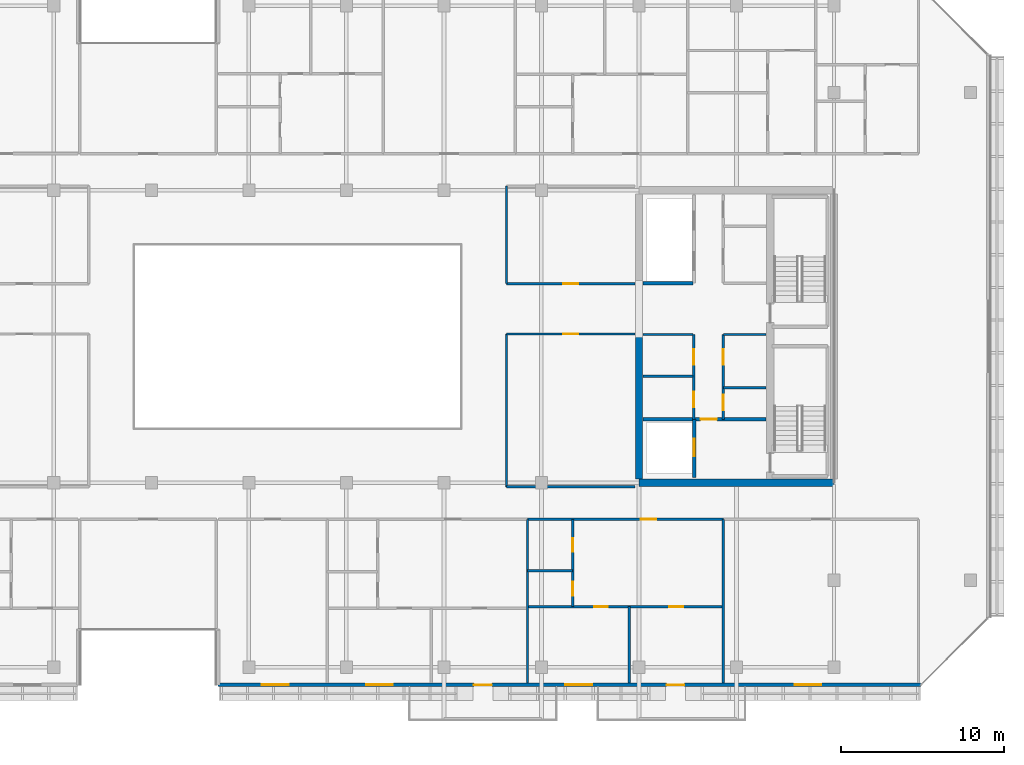
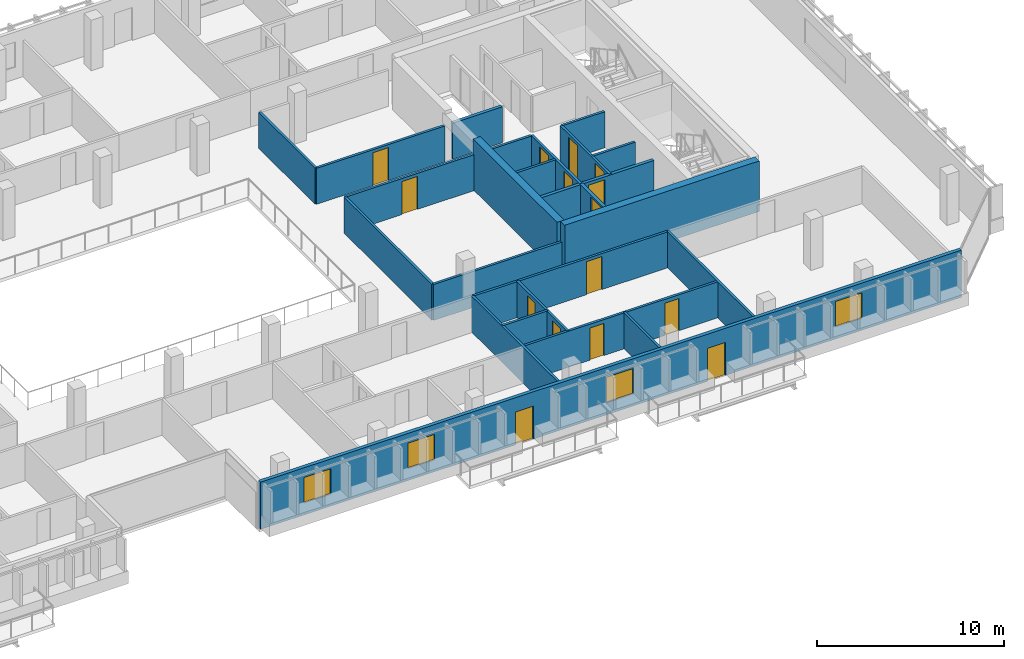
# One storey, part 16 of 25: 24 walls, 15 doors, 4 windows, 19 openings.
"""IFC4 building model written with IfcOpenShell, lengths in metres."""

from ifc_helpers import new_model, si_unit, direction, frame, frame_2d, origin, place, context, subcontext, project, spatial, rectangle, extrude, material, layer, layer_set, type_object, element, fill, save


model = new_model("IFC4")

# Units and contexts
model_context = context("Model", 3, precision=1e-05, world=origin(), true_north=direction((0.0, 1.0)))
body_context = subcontext(model_context, "Body", "Model", "MODEL_VIEW")
ifc_project = project(units=[si_unit("LENGTHUNIT", "METRE"), si_unit("AREAUNIT", "SQUARE_METRE"), si_unit("VOLUMEUNIT", "CUBIC_METRE"), si_unit("PLANEANGLEUNIT", "RADIAN"), si_unit("MASSUNIT", "GRAM", prefix="KILO")], contexts=[model_context])

# Site, building, storey
site_placement = place(None, origin())
site = spatial("IfcSite", under=ifc_project, at=site_placement, CompositionType="ELEMENT")
building_placement = place(site_placement, origin())
building = spatial("IfcBuilding", under=site, at=building_placement, Name="Tanjung Sevakor Pilgrim Tower", CompositionType="ELEMENT")
storey_placement = place(building_placement, frame((0.0, 0.0, 204.929931640625)))
storey = spatial("IfcBuildingStorey", under=building, at=storey_placement, Name="L57", CompositionType="ELEMENT", Elevation=204.929931640625)

# Walls
ifc_material_1 = material(Name="Concrete C60/75", Category="concrete")
ifc_layer_1 = layer(ifc_material_1, 0.449951171875)
ifc_layer_set_1 = layer_set([ifc_layer_1], Name="WALL-CW-450")
wall_type_1 = type_object("IfcWallType", Name="WALL-CW-450", PredefinedType="SHEAR", material=ifc_layer_set_1)
wall_1_placement = place(storey_placement, frame((78.0, 24.60009765625, 0.0), z_axis=(0.0, 0.0, 1.0), x_axis=(1.0, 0.0, 0.0)))
element("IfcWall", 1, at=wall_1_placement, inside=storey, type_object=wall_type_1, Name="L57 E Core South Shear Wall", PredefinedType="SHEAR", context=body_context, shape_type="SweptSolid", body=[
    extrude(rectangle(XDim=12.0, YDim=0.449951171875, at=frame_2d((6.0, 0.0))), origin(), (0.0, 0.0, 1.0), 3.300048828125),
])
wall_2_placement = place(storey_placement, frame((78.0, 24.824951171875, 0.0), z_axis=(0.0, 0.0, 1.0), x_axis=(0.0, 1.0, 0.0)))
element("IfcWall", 2, at=wall_2_placement, inside=storey, type_object=wall_type_1, Name="L57 E Core Inner Shear Wall South", PredefinedType="SHEAR", context=body_context, shape_type="SweptSolid", body=[
    extrude(rectangle(XDim=8.97509765625, YDim=0.449951171875, at=frame_2d((4.487548828125, 0.0))), origin(), (0.0, 0.0, 1.0), 3.300048828125),
])
ifc_material_2 = material(Name="Concrete C40/50", Category="concrete")
ifc_layer_2 = layer(ifc_material_2, 0.14990234375)
ifc_layer_set_2 = layer_set([ifc_layer_2], Name="WT-COMP-150")
wall_type_2 = type_object("IfcWallType", Name="WT-COMP-150", PredefinedType="SOLIDWALL", material=ifc_layer_set_2)
for number, where, z_axis, x_axis, name in (
    (3, (83.199951171875, 30.449951171875, 0.0), (0.0, 0.0, 1.0), (1.0, 0.0, 0.0), "L57 Partition IW-L57-016"),
    (4, (83.199951171875, 33.719970703125, 0.0), (0.0, 0.0, 1.0), (1.0, 0.0, 0.0), "L57 Partition IW-L57-017"),
):
    element("IfcWall", number, at=place(storey_placement, frame(where, z_axis=z_axis, x_axis=x_axis)), inside=storey, type_object=wall_type_2, Name=name, PredefinedType="SOLIDWALL", context=body_context, shape_type="SweptSolid", body=[
        extrude(rectangle(XDim=2.630126953125, YDim=0.14990234375, at=frame_2d((1.31494140625, 0.0))), origin(), (0.0, 0.0, 1.0), 2.35009765625),
    ])

# Wall, openings, doors
wall_3_placement = place(storey_placement, frame((83.179931640625, 28.5, 0.0), z_axis=(0.0, 0.0, 1.0), x_axis=(0.0, 1.0, 0.0)))
wall_3 = element("IfcWall", 5, at=wall_3_placement, inside=storey, type_object=wall_type_2, Name="L57 Partition IW-L57-018", PredefinedType="SOLIDWALL", context=body_context, shape_type="SweptSolid", body=[
    extrude(rectangle(XDim=5.219970703125, YDim=0.14990234375, at=frame_2d((2.60986328125, 0.0))), origin(), (0.0, 0.0, 1.0), 2.35009765625),
])
opening_1_placement = place(wall_3_placement, frame((0.550048828125, 0.0, 0.0)))
opening_1 = element("IfcOpeningElement", 6, at=opening_1_placement, cuts=wall_3, Name="Opening ID-FD2", PredefinedType="OPENING", context=body_context, shape_type="SweptSolid", body=[
    extrude(rectangle(XDim=0.949951171875, YDim=2.14990234375, at=frame_2d((0.47509765625, 1.074951171875))), frame((0.0, 0.0849609375, 0.0), z_axis=(0.0, -1.0, 0.0), x_axis=(1.0, 0.0, 0.0)), (0.0, 0.0, 1.0), 0.169921875),
])
opening_2_placement = place(wall_3_placement, frame((3.35009765625, 0.0, 0.0)))
opening_2 = element("IfcOpeningElement", 7, at=opening_2_placement, cuts=wall_3, Name="Opening ID-FD2", PredefinedType="OPENING", context=body_context, shape_type="SweptSolid", body=[
    extrude(rectangle(XDim=0.949951171875, YDim=2.14990234375, at=frame_2d((0.47509765625, 1.074951171875))), frame((0.0, 0.0849609375, 0.0), z_axis=(0.0, -1.0, 0.0), x_axis=(1.0, 0.0, 0.0)), (0.0, 0.0, 1.0), 0.169921875),
])
ifc_material_3 = material(Name="Fire-Rated Timber", Category="wood")
door_type_1 = type_object("IfcDoorType", Name="DT-FIRE-950", OperationType="NOTDEFINED", PredefinedType="DOOR", material=ifc_material_3)
door_1_placement = place(opening_1_placement, origin())
door_1 = element("IfcDoor", 8, at=door_1_placement, inside=storey, type_object=door_type_1, Name="L57 Cleaner Store Door", OperationType="SINGLE_SWING_RIGHT", OverallHeight=2.14990234375, OverallWidth=0.949951171875, PredefinedType="DOOR", context=body_context, shape_type="SweptSolid", body=[
    extrude(rectangle(XDim=0.949951171875, YDim=2.14990234375, at=frame_2d((0.47509765625, 1.074951171875))), frame((0.0, 0.02490234375, 0.0), z_axis=(0.0, -1.0, 0.0), x_axis=(1.0, 0.0, 0.0)), (0.0, 0.0, 1.0), 0.050048828125),
])
fill(opening_1, door_1)
door_2_placement = place(opening_2_placement, origin())
door_2 = element("IfcDoor", 9, at=door_2_placement, inside=storey, type_object=door_type_1, Name="L57 Housekeeping Pantry Door", OperationType="SINGLE_SWING_LEFT", OverallHeight=2.14990234375, OverallWidth=0.949951171875, PredefinedType="DOOR", context=body_context, shape_type="SweptSolid", body=[
    extrude(rectangle(XDim=0.949951171875, YDim=2.14990234375, at=frame_2d((0.47509765625, 1.074951171875))), frame((0.0, 0.02490234375, 0.0), z_axis=(0.0, -1.0, 0.0), x_axis=(1.0, 0.0, 0.0)), (0.0, 0.0, 1.0), 0.050048828125),
])
fill(opening_2, door_2)

# Walls
for number, where, z_axis, x_axis, name in (
    (10, (78.2451171875, 31.14990234375, 0.0), (0.0, 0.0, 1.0), (1.0, 0.0, 0.0), "L57 Partition IW-L57-019"),
    (11, (78.2451171875, 33.719970703125, 0.0), (0.0, 0.0, 1.0), (1.0, 0.0, 0.0), "L57 Partition IW-L57-020"),
):
    element("IfcWall", number, at=place(storey_placement, frame(where, z_axis=z_axis, x_axis=x_axis)), inside=storey, type_object=wall_type_2, Name=name, PredefinedType="SOLIDWALL", context=body_context, shape_type="SweptSolid", body=[
        extrude(rectangle(XDim=3.074951171875, YDim=0.14990234375, at=frame_2d((1.53759765625, 0.0))), origin(), (0.0, 0.0, 1.0), 2.35009765625),
    ])

# Wall, openings, doors
wall_4_placement = place(storey_placement, frame((81.3798828125, 28.5, 0.0), z_axis=(0.0, 0.0, 1.0), x_axis=(0.0, 1.0, 0.0)))
wall_4 = element("IfcWall", 12, at=wall_4_placement, inside=storey, type_object=wall_type_2, Name="L57 Partition IW-L57-021", PredefinedType="SOLIDWALL", context=body_context, shape_type="SweptSolid", body=[
    extrude(rectangle(XDim=5.219970703125, YDim=0.14990234375, at=frame_2d((2.60986328125, 0.0))), origin(), (0.0, 0.0, 1.0), 2.35009765625),
])
opening_3_placement = place(wall_4_placement, frame((0.75, 0.0, 0.0)))
opening_3 = element("IfcOpeningElement", 13, at=opening_3_placement, cuts=wall_4, Name="Opening ID-FD2", PredefinedType="OPENING", context=body_context, shape_type="SweptSolid", body=[
    extrude(rectangle(XDim=0.949951171875, YDim=2.14990234375, at=frame_2d((0.47509765625, 1.074951171875))), frame((0.0, 0.0849609375, 0.0), z_axis=(0.0, -1.0, 0.0), x_axis=(1.0, 0.0, 0.0)), (0.0, 0.0, 1.0), 0.169921875),
])
opening_4_placement = place(wall_4_placement, frame((3.35009765625, 0.0, 0.0)))
opening_4 = element("IfcOpeningElement", 14, at=opening_4_placement, cuts=wall_4, Name="Opening ID-FD2", PredefinedType="OPENING", context=body_context, shape_type="SweptSolid", body=[
    extrude(rectangle(XDim=0.949951171875, YDim=2.14990234375, at=frame_2d((0.47509765625, 1.074951171875))), frame((0.0, 0.0849609375, 0.0), z_axis=(0.0, -1.0, 0.0), x_axis=(1.0, 0.0, 0.0)), (0.0, 0.0, 1.0), 0.169921875),
])
door_3_placement = place(opening_3_placement, origin())
door_3 = element("IfcDoor", 15, at=door_3_placement, inside=storey, type_object=door_type_1, Name="L57 Accessible WC Door", OperationType="SINGLE_SWING_RIGHT", OverallHeight=2.14990234375, OverallWidth=0.949951171875, PredefinedType="DOOR", context=body_context, shape_type="SweptSolid", body=[
    extrude(rectangle(XDim=0.949951171875, YDim=2.14990234375, at=frame_2d((0.47509765625, 1.074951171875))), frame((0.0, 0.02490234375, 0.0), z_axis=(0.0, -1.0, 0.0), x_axis=(1.0, 0.0, 0.0)), (0.0, 0.0, 1.0), 0.050048828125),
])
fill(opening_3, door_3)
door_4_placement = place(opening_4_placement, origin())
door_4 = element("IfcDoor", 16, at=door_4_placement, inside=storey, type_object=door_type_1, Name="L57 Core Service Door", OperationType="SINGLE_SWING_LEFT", OverallHeight=2.14990234375, OverallWidth=0.949951171875, PredefinedType="DOOR", context=body_context, shape_type="SweptSolid", body=[
    extrude(rectangle(XDim=0.949951171875, YDim=2.14990234375, at=frame_2d((0.47509765625, 1.074951171875))), frame((0.0, 0.02490234375, 0.0), z_axis=(0.0, -1.0, 0.0), x_axis=(1.0, 0.0, 0.0)), (0.0, 0.0, 1.0), 0.050048828125),
])
fill(opening_4, door_4)

# Wall
wall_5_placement = place(storey_placement, frame((69.85009765625, 24.35009765625, 0.0), z_axis=(0.0, 0.0, 1.0), x_axis=(1.0, 0.0, 0.0)))
element("IfcWall", 17, at=wall_5_placement, inside=storey, type_object=wall_type_2, Name="L57 Partition IW-L57-033", PredefinedType="SOLIDWALL", context=body_context, shape_type="SweptSolid", body=[
    extrude(rectangle(XDim=7.90478515625, YDim=0.14990234375, at=frame_2d((3.952392578125, 0.0))), origin(), (0.0, 0.0, 1.0), 2.35009765625),
])

# Wall, opening, door
wall_6_placement = place(storey_placement, frame((69.85009765625, 33.75, 0.0), z_axis=(0.0, 0.0, 1.0), x_axis=(1.0, 0.0, 0.0)))
wall_6 = element("IfcWall", 18, at=wall_6_placement, inside=storey, type_object=wall_type_2, Name="L57 Partition IW-L57-034", PredefinedType="SOLIDWALL", context=body_context, shape_type="SweptSolid", body=[
    extrude(rectangle(XDim=7.90478515625, YDim=0.14990234375, at=frame_2d((3.952392578125, 0.0))), origin(), (0.0, 0.0, 1.0), 2.35009765625),
])
opening_5_placement = place(wall_6_placement, frame((3.4775390625, 0.0, 0.0)))
opening_5 = element("IfcOpeningElement", 19, at=opening_5_placement, cuts=wall_6, Name="Opening ID-RM1", PredefinedType="OPENING", context=body_context, shape_type="SweptSolid", body=[
    extrude(rectangle(XDim=0.949951171875, YDim=2.14990234375, at=frame_2d((0.47509765625, 1.074951171875))), frame((0.0, 0.0849609375, 0.0), z_axis=(0.0, -1.0, 0.0), x_axis=(1.0, 0.0, 0.0)), (0.0, 0.0, 1.0), 0.169921875),
])
ifc_material_4 = material(Name="Hardwood Timber", Category="wood")
door_type_2 = type_object("IfcDoorType", Name="DT-INT-950", OperationType="NOTDEFINED", PredefinedType="DOOR", material=ifc_material_4)
door_5_placement = place(opening_5_placement, origin())
door_5 = element("IfcDoor", 20, at=door_5_placement, inside=storey, type_object=door_type_2, Name="L57 East Inboard South Door", OperationType="SINGLE_SWING_RIGHT", OverallHeight=2.14990234375, OverallWidth=0.949951171875, PredefinedType="DOOR", context=body_context, shape_type="SweptSolid", body=[
    extrude(rectangle(XDim=0.949951171875, YDim=2.14990234375, at=frame_2d((0.47509765625, 1.074951171875))), frame((0.0, 0.02490234375, 0.0), z_axis=(0.0, -1.0, 0.0), x_axis=(1.0, 0.0, 0.0)), (0.0, 0.0, 1.0), 0.050048828125),
])
fill(opening_5, door_5)

# Wall
wall_7_placement = place(storey_placement, frame((69.85009765625, 24.35009765625, 0.0), z_axis=(0.0, 0.0, 1.0), x_axis=(0.0, 1.0, 0.0)))
element("IfcWall", 21, at=wall_7_placement, inside=storey, type_object=wall_type_2, Name="L57 Partition IW-L57-035", PredefinedType="SOLIDWALL", context=body_context, shape_type="SweptSolid", body=[
    extrude(rectangle(XDim=9.39990234375, YDim=0.14990234375, at=frame_2d((4.699951171875, 0.0))), origin(), (0.0, 0.0, 1.0), 2.35009765625),
])

# Wall, opening, door
wall_8_placement = place(storey_placement, frame((69.85009765625, 36.85009765625, 0.0), z_axis=(0.0, 0.0, 1.0), x_axis=(1.0, 0.0, 0.0)))
wall_8 = element("IfcWall", 22, at=wall_8_placement, inside=storey, type_object=wall_type_2, Name="L57 Partition IW-L57-036", PredefinedType="SOLIDWALL", context=body_context, shape_type="SweptSolid", body=[
    extrude(rectangle(XDim=7.90478515625, YDim=0.14990234375, at=frame_2d((3.952392578125, 0.0))), origin(), (0.0, 0.0, 1.0), 2.35009765625),
])
opening_6_placement = place(wall_8_placement, frame((3.4775390625, 0.0, 0.0)))
opening_6 = element("IfcOpeningElement", 23, at=opening_6_placement, cuts=wall_8, Name="Opening ID-RM1", PredefinedType="OPENING", context=body_context, shape_type="SweptSolid", body=[
    extrude(rectangle(XDim=0.949951171875, YDim=2.14990234375, at=frame_2d((0.47509765625, 1.074951171875))), frame((0.0, 0.0849609375, 0.0), z_axis=(0.0, -1.0, 0.0), x_axis=(1.0, 0.0, 0.0)), (0.0, 0.0, 1.0), 0.169921875),
])
door_6_placement = place(opening_6_placement, origin())
door_6 = element("IfcDoor", 24, at=door_6_placement, inside=storey, type_object=door_type_2, Name="L57 East Inboard North Door", OperationType="SINGLE_SWING_LEFT", OverallHeight=2.14990234375, OverallWidth=0.949951171875, PredefinedType="DOOR", context=body_context, shape_type="SweptSolid", body=[
    extrude(rectangle(XDim=0.949951171875, YDim=2.14990234375, at=frame_2d((0.47509765625, 1.074951171875))), frame((0.0, 0.02490234375, 0.0), z_axis=(0.0, -1.0, 0.0), x_axis=(1.0, 0.0, 0.0)), (0.0, 0.0, 1.0), 0.050048828125),
])
fill(opening_6, door_6)

# Walls
wall_9_placement = place(storey_placement, frame((69.85009765625, 36.85009765625, 0.0), z_axis=(0.0, 0.0, 1.0), x_axis=(0.0, 1.0, 0.0)))
element("IfcWall", 25, at=wall_9_placement, inside=storey, type_object=wall_type_2, Name="L57 Partition IW-L57-038", PredefinedType="SOLIDWALL", context=body_context, shape_type="SweptSolid", body=[
    extrude(rectangle(XDim=6.0, YDim=0.14990234375, at=frame_2d((3.0, 0.0))), origin(), (0.0, 0.0, 1.0), 2.35009765625),
])
for number, where, z_axis, x_axis, name in (
    (26, (71.1416015625, 12.27001953125, 0.0), (0.0, 0.0, 1.0), (0.0, 1.0, 0.0), "L57 Partition IW-L57-060"),
    (27, (83.19775390625, 12.27001953125, 0.0), (0.0, 0.0, 1.0), (0.0, 1.0, 0.0), "L57 Partition IW-L57-066"),
):
    element("IfcWall", number, at=place(storey_placement, frame(where, z_axis=z_axis, x_axis=x_axis)), inside=storey, type_object=wall_type_2, Name=name, PredefinedType="SOLIDWALL", context=body_context, shape_type="SweptSolid", body=[
        extrude(rectangle(XDim=10.080078125, YDim=0.14990234375, at=frame_2d((5.0400390625, 0.0))), origin(), (0.0, 0.0, 1.0), 2.35009765625),
    ])

# Wall, opening, door
wall_10_placement = place(storey_placement, frame((71.1416015625, 22.35009765625, 0.0), z_axis=(0.0, 0.0, 1.0), x_axis=(1.0, 0.0, 0.0)))
wall_10 = element("IfcWall", 28, at=wall_10_placement, inside=storey, type_object=wall_type_2, Name="L57 Partition IW-L57-071", PredefinedType="SOLIDWALL", context=body_context, shape_type="SweptSolid", body=[
    extrude(rectangle(XDim=12.05615234375, YDim=0.14990234375, at=frame_2d((6.028076171875, 0.0))), origin(), (0.0, 0.0, 1.0), 2.35009765625),
])
opening_7_placement = place(wall_10_placement, frame((6.982177734375, 0.0, 0.0)))
opening_7 = element("IfcOpeningElement", 29, at=opening_7_placement, cuts=wall_10, Name="Opening ID-FD2", PredefinedType="OPENING", context=body_context, shape_type="SweptSolid", body=[
    extrude(rectangle(XDim=0.949951171875, YDim=2.14990234375, at=frame_2d((0.47509765625, 1.074951171875))), frame((0.0, 0.0849609375, 0.0), z_axis=(0.0, -1.0, 0.0), x_axis=(1.0, 0.0, 0.0)), (0.0, 0.0, 1.0), 0.169921875),
])
door_7_placement = place(opening_7_placement, origin())
door_7 = element("IfcDoor", 30, at=door_7_placement, inside=storey, type_object=door_type_1, Name="Suite Entrance", OperationType="SINGLE_SWING_LEFT", OverallHeight=2.14990234375, OverallWidth=0.949951171875, PredefinedType="DOOR", context=body_context, shape_type="SweptSolid", body=[
    extrude(rectangle(XDim=0.949951171875, YDim=2.14990234375, at=frame_2d((0.47509765625, 1.074951171875))), frame((0.0, 0.02490234375, 0.0), z_axis=(0.0, -1.0, 0.0), x_axis=(1.0, 0.0, 0.0)), (0.0, 0.0, 1.0), 0.050048828125),
])
fill(opening_7, door_7)

# Wall, openings, doors, windows
ifc_material_5 = material(Name="Precast concrete C45/55", Category="concrete")
ifc_layer_3 = layer(ifc_material_5, 0.219970703125)
ifc_layer_set_3 = layer_set([ifc_layer_3], Name="WT-EW-STN4")
wall_type_3 = type_object("IfcWallType", Name="WT-EW-STN4", PredefinedType="SOLIDWALL", material=ifc_layer_set_3)
wall_11_placement = place(storey_placement, frame((52.110107421875, 12.159912109375, 0.0), z_axis=(0.0, 0.0, 1.0), x_axis=(1.0, 0.0, 0.0)))
wall_11 = element("IfcWall", 31, at=wall_11_placement, inside=storey, type_object=wall_type_3, Name="L57 MAIN Exterior Wall 5", PredefinedType="SOLIDWALL", context=body_context, shape_type="SweptSolid", body=[
    extrude(rectangle(XDim=43.244384765625, YDim=0.219970703125, at=frame_2d((21.6220703125, 0.0))), origin(), (0.0, 0.0, 1.0), 3.080078125),
])
opening_8_placement = place(wall_11_placement, frame((15.739990234375, 0.0, 0.0)))
opening_8 = element("IfcOpeningElement", 32, at=opening_8_placement, cuts=wall_11, Name="Opening ED-BAL-1100", PredefinedType="OPENING", context=body_context, shape_type="SweptSolid", body=[
    extrude(rectangle(XDim=1.10009765625, YDim=2.14990234375, at=frame_2d((0.550048828125, 1.074951171875))), frame((0.0, 0.119873046875, 0.0), z_axis=(0.0, -1.0, 0.0), x_axis=(1.0, 0.0, 0.0)), (0.0, 0.0, 1.0), 0.239990234375),
])
opening_9_placement = place(wall_11_placement, frame((27.590087890625, 0.0, 0.0)))
opening_9 = element("IfcOpeningElement", 33, at=opening_9_placement, cuts=wall_11, Name="Opening ED-BAL-1100", PredefinedType="OPENING", context=body_context, shape_type="SweptSolid", body=[
    extrude(rectangle(XDim=1.10009765625, YDim=2.14990234375, at=frame_2d((0.550048828125, 1.074951171875))), frame((0.0, 0.119873046875, 0.0), z_axis=(0.0, -1.0, 0.0), x_axis=(1.0, 0.0, 0.0)), (0.0, 0.0, 1.0), 0.239990234375),
])
opening_10_placement = place(wall_11_placement, frame((2.69384765625, 0.0, 0.780029296875)))
opening_10 = element("IfcOpeningElement", 34, at=opening_10_placement, cuts=wall_11, Name="Opening WN-Z4-1660", PredefinedType="OPENING", context=body_context, shape_type="SweptSolid", body=[
    extrude(rectangle(XDim=1.64990234375, YDim=1.659912109375, at=frame_2d((0.824951171875, 0.830078125))), frame((0.0, 0.119873046875, 0.0), z_axis=(0.0, -1.0, 0.0), x_axis=(1.0, 0.0, 0.0)), (0.0, 0.0, 1.0), 0.239990234375),
])
opening_11_placement = place(wall_11_placement, frame((9.096923828125, 0.0, 0.780029296875)))
opening_11 = element("IfcOpeningElement", 35, at=opening_11_placement, cuts=wall_11, Name="Opening WN-Z4-1660", PredefinedType="OPENING", context=body_context, shape_type="SweptSolid", body=[
    extrude(rectangle(XDim=1.64990234375, YDim=1.659912109375, at=frame_2d((0.824951171875, 0.830078125))), frame((0.0, 0.119873046875, 0.0), z_axis=(0.0, -1.0, 0.0), x_axis=(1.0, 0.0, 0.0)), (0.0, 0.0, 1.0), 0.239990234375),
])
opening_12_placement = place(wall_11_placement, frame((21.351318359375, 0.0, 0.780029296875)))
opening_12 = element("IfcOpeningElement", 36, at=opening_12_placement, cuts=wall_11, Name="Opening WN-Z4-1660", PredefinedType="OPENING", context=body_context, shape_type="SweptSolid", body=[
    extrude(rectangle(XDim=1.64990234375, YDim=1.659912109375, at=frame_2d((0.824951171875, 0.830078125))), frame((0.0, 0.119873046875, 0.0), z_axis=(0.0, -1.0, 0.0), x_axis=(1.0, 0.0, 0.0)), (0.0, 0.0, 1.0), 0.239990234375),
])
opening_13_placement = place(wall_11_placement, frame((35.4638671875, 0.0, 0.780029296875)))
opening_13 = element("IfcOpeningElement", 37, at=opening_13_placement, cuts=wall_11, Name="Opening WN-Z4-1660", PredefinedType="OPENING", context=body_context, shape_type="SweptSolid", body=[
    extrude(rectangle(XDim=1.64990234375, YDim=1.659912109375, at=frame_2d((0.824951171875, 0.830078125))), frame((0.0, 0.119873046875, 0.0), z_axis=(0.0, -1.0, 0.0), x_axis=(1.0, 0.0, 0.0)), (0.0, 0.0, 1.0), 0.239990234375),
])
ifc_material_6 = material(Name="Anodised Aluminium and Laminated Glass", Category="aluminium")
door_type_3 = type_object("IfcDoorType", Name="DTYP-ED-BAL-1100", OperationType="NOTDEFINED", PredefinedType="DOOR", material=ifc_material_6)
door_8_placement = place(opening_8_placement, frame((1.10009765625, 0.0, 0.0), z_axis=(0.0, 0.0, 1.0), x_axis=(-1.0, 0.0, 0.0)))
door_8 = element("IfcDoor", 38, at=door_8_placement, inside=storey, type_object=door_type_3, Name="L57 Balcony Door MAIN-S2", OperationType="SINGLE_SWING_RIGHT", OverallHeight=2.14990234375, OverallWidth=1.10009765625, PredefinedType="DOOR", context=body_context, shape_type="SweptSolid", body=[
    extrude(rectangle(XDim=1.10009765625, YDim=2.14990234375, at=frame_2d((0.550048828125, 1.074951171875))), frame((0.0, 0.02490234375, 0.0), z_axis=(0.0, -1.0, 0.0), x_axis=(1.0, 0.0, 0.0)), (0.0, 0.0, 1.0), 0.050048828125),
])
fill(opening_8, door_8)
door_9_placement = place(opening_9_placement, frame((1.10009765625, 0.0, 0.0), z_axis=(0.0, 0.0, 1.0), x_axis=(-1.0, 0.0, 0.0)))
door_9 = element("IfcDoor", 39, at=door_9_placement, inside=storey, type_object=door_type_3, Name="L57 Balcony Door MAIN-S3", OperationType="SINGLE_SWING_LEFT", OverallHeight=2.14990234375, OverallWidth=1.10009765625, PredefinedType="DOOR", context=body_context, shape_type="SweptSolid", body=[
    extrude(rectangle(XDim=1.10009765625, YDim=2.14990234375, at=frame_2d((0.550048828125, 1.074951171875))), frame((0.0, 0.02490234375, 0.0), z_axis=(0.0, -1.0, 0.0), x_axis=(1.0, 0.0, 0.0)), (0.0, 0.0, 1.0), 0.050048828125),
])
fill(opening_9, door_9)
ifc_material_7 = material(Name="Thermally Broken Aluminium and Low-E Glass", Category="aluminium")
window_type = type_object("IfcWindowType", Name="WTYP-WN-Z4-1660", PartitioningType="DOUBLE_PANEL_VERTICAL", PredefinedType="WINDOW", material=ifc_material_7)
window_1_placement = place(opening_10_placement, origin())
window_1 = element("IfcWindow", 40, at=window_1_placement, inside=storey, type_object=window_type, Name="L57 Facade Window 01", OverallHeight=1.659912109375, OverallWidth=1.64990234375, PartitioningType="SINGLE_PANEL", PredefinedType="WINDOW", context=body_context, shape_type="SweptSolid", body=[
    extrude(rectangle(XDim=1.64990234375, YDim=1.659912109375, at=frame_2d((0.824951171875, 0.830078125))), frame((0.0, 0.030029296875, 0.0), z_axis=(0.0, -1.0, 0.0), x_axis=(1.0, 0.0, 0.0)), (0.0, 0.0, 1.0), 0.06005859375),
])
fill(opening_10, window_1)
window_2_placement = place(opening_11_placement, origin())
window_2 = element("IfcWindow", 41, at=window_2_placement, inside=storey, type_object=window_type, Name="L57 Facade Window 02", OverallHeight=1.659912109375, OverallWidth=1.64990234375, PartitioningType="SINGLE_PANEL", PredefinedType="WINDOW", context=body_context, shape_type="SweptSolid", body=[
    extrude(rectangle(XDim=1.64990234375, YDim=1.659912109375, at=frame_2d((0.824951171875, 0.830078125))), frame((0.0, 0.030029296875, 0.0), z_axis=(0.0, -1.0, 0.0), x_axis=(1.0, 0.0, 0.0)), (0.0, 0.0, 1.0), 0.06005859375),
])
fill(opening_11, window_2)
window_3_placement = place(opening_12_placement, origin())
window_3 = element("IfcWindow", 42, at=window_3_placement, inside=storey, type_object=window_type, Name="L57 Facade Window 03", OverallHeight=1.659912109375, OverallWidth=1.64990234375, PartitioningType="SINGLE_PANEL", PredefinedType="WINDOW", context=body_context, shape_type="SweptSolid", body=[
    extrude(rectangle(XDim=1.64990234375, YDim=1.659912109375, at=frame_2d((0.824951171875, 0.830078125))), frame((0.0, 0.030029296875, 0.0), z_axis=(0.0, -1.0, 0.0), x_axis=(1.0, 0.0, 0.0)), (0.0, 0.0, 1.0), 0.06005859375),
])
fill(opening_12, window_3)
window_4_placement = place(opening_13_placement, origin())
window_4 = element("IfcWindow", 43, at=window_4_placement, inside=storey, type_object=window_type, Name="L57 Facade Window 04", OverallHeight=1.659912109375, OverallWidth=1.64990234375, PartitioningType="SINGLE_PANEL", PredefinedType="WINDOW", context=body_context, shape_type="SweptSolid", body=[
    extrude(rectangle(XDim=1.64990234375, YDim=1.659912109375, at=frame_2d((0.824951171875, 0.830078125))), frame((0.0, 0.030029296875, 0.0), z_axis=(0.0, -1.0, 0.0), x_axis=(1.0, 0.0, 0.0)), (0.0, 0.0, 1.0), 0.06005859375),
])
fill(opening_13, window_4)

# Wall, opening, door
ifc_material_8 = material(Name="Concrete C40/50", Category="concrete")
ifc_layer_4 = layer(ifc_material_8, 0.199951171875)
ifc_layer_set_4 = layer_set([ifc_layer_4], Name="WT-FPRT-200")
wall_type_4 = type_object("IfcWallType", Name="WT-FPRT-200", PredefinedType="SOLIDWALL", material=ifc_layer_set_4)
wall_12_placement = place(storey_placement, frame((81.39990234375, 24.919921875, 0.0), z_axis=(0.0, 0.0, 1.0), x_axis=(0.0, 1.0, 0.0)))
wall_12 = element("IfcWall", 44, at=wall_12_placement, inside=storey, type_object=wall_type_4, Name="L57 Partition IW-L57-014", PredefinedType="SOLIDWALL", context=body_context, shape_type="SweptSolid", body=[
    extrude(rectangle(XDim=3.580078125, YDim=0.199951171875, at=frame_2d((1.7900390625, 0.0))), origin(), (0.0, 0.0, 1.0), 2.35009765625),
])
opening_14_placement = place(wall_12_placement, frame((1.300048828125, 0.0, 0.0)))
opening_14 = element("IfcOpeningElement", 45, at=opening_14_placement, cuts=wall_12, Name="Opening LD-1100", PredefinedType="OPENING", context=body_context, shape_type="SweptSolid", body=[
    extrude(rectangle(XDim=1.10009765625, YDim=2.199951171875, at=frame_2d((0.550048828125, 1.10009765625))), frame((0.0, 0.10986328125, 0.0), z_axis=(0.0, -1.0, 0.0), x_axis=(1.0, 0.0, 0.0)), (0.0, 0.0, 1.0), 0.219970703125),
])
ifc_material_9 = material(Name="Brushed Stainless Steel S355J2", Category="steel")
door_type_4 = type_object("IfcDoorType", Name="DT-LIFT-1100", OperationType="SLIDING_TO_LEFT", PredefinedType="DOOR", material=ifc_material_9)
door_10_placement = place(opening_14_placement, origin())
door_10 = element("IfcDoor", 46, at=door_10_placement, inside=storey, type_object=door_type_4, Name="LD-FL-E", OperationType="SLIDING_TO_LEFT", OverallHeight=2.199951171875, OverallWidth=1.10009765625, PredefinedType="DOOR", context=body_context, shape_type="SweptSolid", body=[
    extrude(rectangle(XDim=1.10009765625, YDim=2.199951171875, at=frame_2d((0.550048828125, 1.10009765625))), frame((0.0, 0.02490234375, 0.0), z_axis=(0.0, -1.0, 0.0), x_axis=(1.0, 0.0, 0.0)), (0.0, 0.0, 1.0), 0.050048828125),
])
fill(opening_14, door_10)

wall_13_placement = place(storey_placement, frame((78.2451171875, 28.5, 0.0), z_axis=(0.0, 0.0, 1.0), x_axis=(1.0, 0.0, 0.0)))
wall_13 = element("IfcWall", 47, at=wall_13_placement, inside=storey, type_object=wall_type_4, Name="L57 Partition IW-L57-015", PredefinedType="SOLIDWALL", context=body_context, shape_type="SweptSolid", body=[
    extrude(rectangle(XDim=7.5849609375, YDim=0.199951171875, at=frame_2d((3.79248046875, 0.0))), origin(), (0.0, 0.0, 1.0), 2.35009765625),
])
opening_15_placement = place(wall_13_placement, frame((3.554931640625, 0.0, 0.0)))
opening_15 = element("IfcOpeningElement", 48, at=opening_15_placement, cuts=wall_13, Name="Opening ID-FD1", PredefinedType="OPENING", context=body_context, shape_type="SweptSolid", body=[
    extrude(rectangle(XDim=1.0, YDim=2.14990234375, at=frame_2d((0.5, 1.074951171875))), frame((0.0, 0.10986328125, 0.0), z_axis=(0.0, -1.0, 0.0), x_axis=(1.0, 0.0, 0.0)), (0.0, 0.0, 1.0), 0.219970703125),
])
ifc_material_10 = material(Name="Fire-Rated Steel S355J2", Category="steel")
door_type_5 = type_object("IfcDoorType", Name="DT-FIRE-1000", OperationType="NOTDEFINED", PredefinedType="DOOR", material=ifc_material_10)
door_11_placement = place(opening_15_placement, origin())
door_11 = element("IfcDoor", 49, at=door_11_placement, inside=storey, type_object=door_type_5, Name="Fire Lobby Door E", OperationType="SINGLE_SWING_LEFT", OverallHeight=2.14990234375, OverallWidth=1.0, PredefinedType="DOOR", context=body_context, shape_type="SweptSolid", body=[
    extrude(rectangle(XDim=1.0, YDim=2.14990234375, at=frame_2d((0.5, 1.074951171875))), frame((0.0, 0.02490234375, 0.0), z_axis=(0.0, -1.0, 0.0), x_axis=(1.0, 0.0, 0.0)), (0.0, 0.0, 1.0), 0.050048828125),
])
fill(opening_15, door_11)

# Walls
wall_14_placement = place(storey_placement, frame((78.2451171875, 36.8798828125, 0.0), z_axis=(0.0, 0.0, 1.0), x_axis=(1.0, 0.0, 0.0)))
element("IfcWall", 50, at=wall_14_placement, inside=storey, type_object=wall_type_4, Name="L57 Partition IW-L57-025", PredefinedType="SOLIDWALL", context=body_context, shape_type="SweptSolid", body=[
    extrude(rectangle(XDim=3.074951171875, YDim=0.199951171875, at=frame_2d((1.53759765625, 0.0))), origin(), (0.0, 0.0, 1.0), 2.35009765625),
])
ifc_material_11 = material(Name="Gypsum Board Partition", Category="gypsum board")
ifc_layer_5 = layer(ifc_material_11, 0.14990234375)
ifc_layer_set_5 = layer_set([ifc_layer_5], Name="WT-PART-150")
wall_type_5 = type_object("IfcWallType", Name="WT-PART-150", PredefinedType="PARTITIONING", material=ifc_layer_set_5)
wall_15_placement = place(storey_placement, frame((71.1416015625, 19.17919921875, 0.0), z_axis=(0.0, 0.0, 1.0), x_axis=(1.0, 0.0, 0.0)))
element("IfcWall", 51, at=wall_15_placement, inside=storey, type_object=wall_type_5, Name="L57 Partition IW-L57-067", PredefinedType="PARTITIONING", context=body_context, shape_type="SweptSolid", body=[
    extrude(rectangle(XDim=2.7783203125, YDim=0.14990234375, at=frame_2d((1.38916015625, 0.0))), origin(), (0.0, 0.0, 1.0), 2.35009765625),
])

# Wall, openings, doors
wall_16_placement = place(storey_placement, frame((73.919921875, 16.9755859375, 0.0), z_axis=(0.0, 0.0, 1.0), x_axis=(0.0, 1.0, 0.0)))
wall_16 = element("IfcWall", 52, at=wall_16_placement, inside=storey, type_object=wall_type_5, Name="L57 Partition IW-L57-068", PredefinedType="PARTITIONING", context=body_context, shape_type="SweptSolid", body=[
    extrude(rectangle(XDim=5.37451171875, YDim=0.14990234375, at=frame_2d((2.687255859375, 0.0))), origin(), (0.0, 0.0, 1.0), 2.35009765625),
])
opening_16_placement = place(wall_16_placement, frame((0.6767578125, 0.0, 0.0)))
opening_16 = element("IfcOpeningElement", 53, at=opening_16_placement, cuts=wall_16, Name="Opening ID-WC1", PredefinedType="OPENING", context=body_context, shape_type="SweptSolid", body=[
    extrude(rectangle(XDim=0.85009765625, YDim=2.10009765625, at=frame_2d((0.425048828125, 1.050048828125))), frame((0.0, 0.0849609375, 0.0), z_axis=(0.0, -1.0, 0.0), x_axis=(1.0, 0.0, 0.0)), (0.0, 0.0, 1.0), 0.169921875),
])
opening_17_placement = place(wall_16_placement, frame((3.364013671875, 0.0, 0.0)))
opening_17 = element("IfcOpeningElement", 54, at=opening_17_placement, cuts=wall_16, Name="Opening ID-WC1", PredefinedType="OPENING", context=body_context, shape_type="SweptSolid", body=[
    extrude(rectangle(XDim=0.85009765625, YDim=2.10009765625, at=frame_2d((0.425048828125, 1.050048828125))), frame((0.0, 0.0849609375, 0.0), z_axis=(0.0, -1.0, 0.0), x_axis=(1.0, 0.0, 0.0)), (0.0, 0.0, 1.0), 0.169921875),
])
ifc_material_12 = material(Name="Moisture-Resistant Timber", Category="wood")
door_type_6 = type_object("IfcDoorType", Name="DT-INT-850", OperationType="NOTDEFINED", PredefinedType="DOOR", material=ifc_material_12)
door_12_placement = place(opening_16_placement, origin())
door_12 = element("IfcDoor", 55, at=door_12_placement, inside=storey, type_object=door_type_6, Name="Suite Bathroom Door", OperationType="SINGLE_SWING_LEFT", OverallHeight=2.10009765625, OverallWidth=0.85009765625, PredefinedType="DOOR", context=body_context, shape_type="SweptSolid", body=[
    extrude(rectangle(XDim=0.85009765625, YDim=2.10009765625, at=frame_2d((0.425048828125, 1.050048828125))), frame((0.0, 0.02490234375, 0.0), z_axis=(0.0, -1.0, 0.0), x_axis=(1.0, 0.0, 0.0)), (0.0, 0.0, 1.0), 0.050048828125),
])
fill(opening_16, door_12)
door_13_placement = place(opening_17_placement, origin())
door_13 = element("IfcDoor", 56, at=door_13_placement, inside=storey, type_object=door_type_6, Name="Suite Kitchenette Door", OperationType="SINGLE_SWING_RIGHT", OverallHeight=2.10009765625, OverallWidth=0.85009765625, PredefinedType="DOOR", context=body_context, shape_type="SweptSolid", body=[
    extrude(rectangle(XDim=0.85009765625, YDim=2.10009765625, at=frame_2d((0.425048828125, 1.050048828125))), frame((0.0, 0.02490234375, 0.0), z_axis=(0.0, -1.0, 0.0), x_axis=(1.0, 0.0, 0.0)), (0.0, 0.0, 1.0), 0.050048828125),
])
fill(opening_17, door_13)

# Wall
wall_17_placement = place(storey_placement, frame((77.410888671875, 12.27001953125, 0.0), z_axis=(0.0, 0.0, 1.0), x_axis=(0.0, 1.0, 0.0)))
element("IfcWall", 57, at=wall_17_placement, inside=storey, type_object=wall_type_5, Name="L57 Partition IW-L57-069", PredefinedType="PARTITIONING", context=body_context, shape_type="SweptSolid", body=[
    extrude(rectangle(XDim=4.70556640625, YDim=0.14990234375, at=frame_2d((2.352783203125, 0.0))), origin(), (0.0, 0.0, 1.0), 2.35009765625),
])

# Wall, openings, doors
wall_18_placement = place(storey_placement, frame((71.1416015625, 16.9755859375, 0.0), z_axis=(0.0, 0.0, 1.0), x_axis=(1.0, 0.0, 0.0)))
wall_18 = element("IfcWall", 58, at=wall_18_placement, inside=storey, type_object=wall_type_5, Name="L57 Partition IW-L57-070", PredefinedType="PARTITIONING", context=body_context, shape_type="SweptSolid", body=[
    extrude(rectangle(XDim=12.05615234375, YDim=0.14990234375, at=frame_2d((6.028076171875, 0.0))), origin(), (0.0, 0.0, 1.0), 2.35009765625),
])
opening_18_placement = place(wall_18_placement, frame((4.0986328125, 0.0, 0.0)))
opening_18 = element("IfcOpeningElement", 59, at=opening_18_placement, cuts=wall_18, Name="Opening ID-WC1", PredefinedType="OPENING", context=body_context, shape_type="SweptSolid", body=[
    extrude(rectangle(XDim=0.85009765625, YDim=2.10009765625, at=frame_2d((0.425048828125, 1.050048828125))), frame((0.0, 0.0849609375, 0.0), z_axis=(0.0, -1.0, 0.0), x_axis=(1.0, 0.0, 0.0)), (0.0, 0.0, 1.0), 0.169921875),
])
opening_19_placement = place(wall_18_placement, frame((8.737548828125, 0.0, 0.0)))
opening_19 = element("IfcOpeningElement", 60, at=opening_19_placement, cuts=wall_18, Name="Opening ID-WC1", PredefinedType="OPENING", context=body_context, shape_type="SweptSolid", body=[
    extrude(rectangle(XDim=0.85009765625, YDim=2.10009765625, at=frame_2d((0.425048828125, 1.050048828125))), frame((0.0, 0.0849609375, 0.0), z_axis=(0.0, -1.0, 0.0), x_axis=(1.0, 0.0, 0.0)), (0.0, 0.0, 1.0), 0.169921875),
])
door_14_placement = place(opening_18_placement, origin())
door_14 = element("IfcDoor", 61, at=door_14_placement, inside=storey, type_object=door_type_6, Name="Suite Bedroom 1 Door", OperationType="SINGLE_SWING_LEFT", OverallHeight=2.10009765625, OverallWidth=0.85009765625, PredefinedType="DOOR", context=body_context, shape_type="SweptSolid", body=[
    extrude(rectangle(XDim=0.85009765625, YDim=2.10009765625, at=frame_2d((0.425048828125, 1.050048828125))), frame((0.0, 0.02490234375, 0.0), z_axis=(0.0, -1.0, 0.0), x_axis=(1.0, 0.0, 0.0)), (0.0, 0.0, 1.0), 0.050048828125),
])
fill(opening_18, door_14)
door_15_placement = place(opening_19_placement, origin())
door_15 = element("IfcDoor", 62, at=door_15_placement, inside=storey, type_object=door_type_6, Name="Suite Bedroom 2 Door", OperationType="SINGLE_SWING_RIGHT", OverallHeight=2.10009765625, OverallWidth=0.85009765625, PredefinedType="DOOR", context=body_context, shape_type="SweptSolid", body=[
    extrude(rectangle(XDim=0.85009765625, YDim=2.10009765625, at=frame_2d((0.425048828125, 1.050048828125))), frame((0.0, 0.02490234375, 0.0), z_axis=(0.0, -1.0, 0.0), x_axis=(1.0, 0.0, 0.0)), (0.0, 0.0, 1.0), 0.050048828125),
])
fill(opening_19, door_15)

save(model, "model.ifc")
